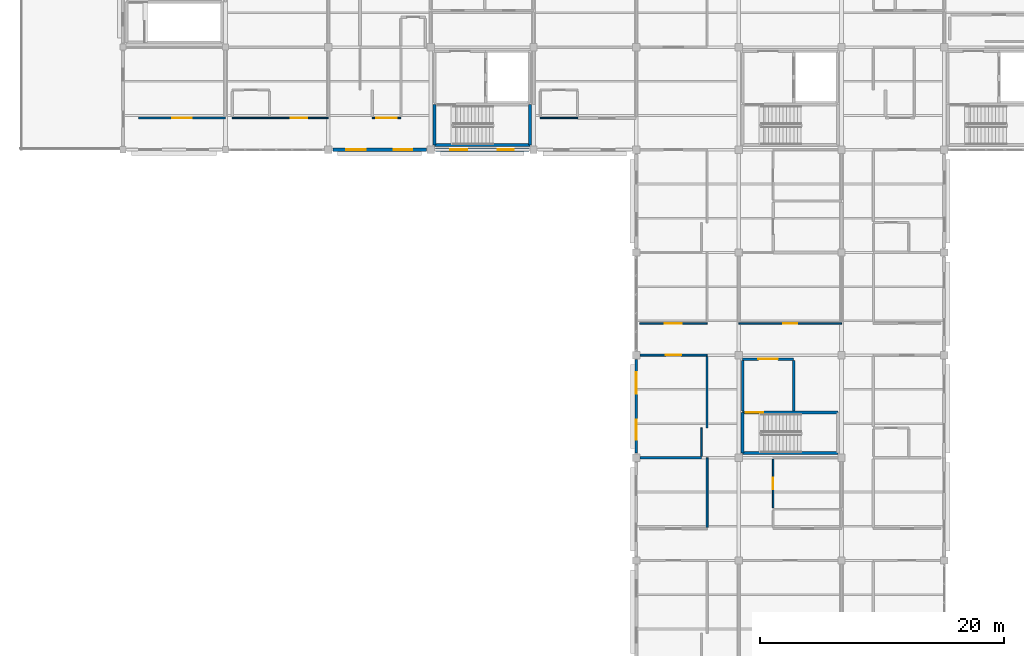
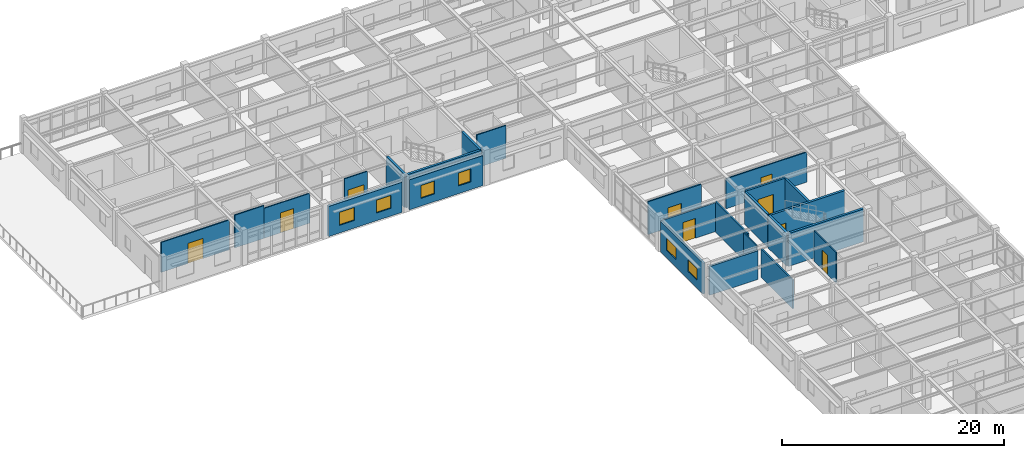
# One storey, part 50 of 70: 25 walls, 9 doors, 6 windows, 15 openings.
"""IFC4 building model written with IfcOpenShell, lengths in metres."""

from ifc_helpers import new_model, si_unit, direction, frame, frame_2d, origin, place, context, subcontext, project, spatial, rectangle, extrude, material, layer, layer_set, type_object, element, fill, save


model = new_model("IFC4")

# Units and contexts
model_context = context("Model", 3, precision=1e-05, world=origin(), true_north=direction((0.0, 1.0)))
body_context = subcontext(model_context, "Body", "Model", "MODEL_VIEW")
ifc_project = project(units=[si_unit("LENGTHUNIT", "METRE"), si_unit("AREAUNIT", "SQUARE_METRE"), si_unit("VOLUMEUNIT", "CUBIC_METRE"), si_unit("PLANEANGLEUNIT", "RADIAN"), si_unit("MASSUNIT", "GRAM", prefix="KILO")], contexts=[model_context])

# Site, building, storey
site_placement = place(None, origin())
site = spatial("IfcSite", under=ifc_project, at=site_placement, CompositionType="ELEMENT")
building_placement = place(site_placement, origin())
building = spatial("IfcBuilding", under=site, at=building_placement, Name="Bramfleet General Hospital", CompositionType="ELEMENT")
storey_placement = place(building_placement, frame((0.0, 0.0, 22.5)))
storey = spatial("IfcBuildingStorey", under=building, at=storey_placement, Name="L05", CompositionType="ELEMENT", Elevation=22.5)

# Wall, openings, windows
ifc_material_1 = material(Name="Precast concrete C40/50", Category="concrete")
ifc_layer_1 = layer(ifc_material_1, 0.294921875, Name="WT-EW-05")
ifc_layer_set_1 = layer_set([ifc_layer_1], Name="Precast concrete C40/50")
wall_type_1 = type_object("IfcWallType", Name="WT-EW-05", PredefinedType="SOLIDWALL", material=ifc_layer_set_1)
wall_1_placement = place(storey_placement, frame((83.625, 92.39990234375, 0.0), z_axis=(0.0, 0.0, 1.0), x_axis=(-1.0, 0.0, 0.0)))
wall_1 = element("IfcWall", 1, at=wall_1_placement, inside=storey, type_object=wall_type_1, Name="L05 Exterior Wall 339", PredefinedType="SOLIDWALL", context=body_context, shape_type="SweptSolid", body=[
    extrude(rectangle(XDim=7.64990234375, YDim=0.294921875, at=frame_2d((3.824951171875, 0.0))), origin(), (0.0, 0.0, 1.0), 3.31005859375),
])
opening_1_placement = place(wall_1_placement, frame((1.262451171875, 0.0, 0.85009765625)))
opening_1 = element("IfcOpeningElement", 2, at=opening_1_placement, cuts=wall_1, Name="Opening W-14", PredefinedType="OPENING", context=body_context, shape_type="SweptSolid", body=[
    extrude(rectangle(XDim=1.300048828125, YDim=1.419921875, at=frame_2d((0.64990234375, 0.7099609375))), frame((0.0, 0.157470703125, 0.0), z_axis=(0.0, -1.0, 0.0), x_axis=(1.0, 0.0, 0.0)), (0.0, 0.0, 1.0), 0.31494140625),
])
opening_2_placement = place(wall_1_placement, frame((5.03759765625, 0.0, 0.85009765625)))
opening_2 = element("IfcOpeningElement", 3, at=opening_2_placement, cuts=wall_1, Name="Opening W-15", PredefinedType="OPENING", context=body_context, shape_type="SweptSolid", body=[
    extrude(rectangle(XDim=1.39990234375, YDim=1.419921875, at=frame_2d((0.699951171875, 0.7099609375))), frame((0.0, 0.157470703125, 0.0), z_axis=(0.0, -1.0, 0.0), x_axis=(1.0, 0.0, 0.0)), (0.0, 0.0, 1.0), 0.31494140625),
])
ifc_material_2 = material(Name="Anodised aluminium and low-E triple glazing", Category="aluminium")
window_type_1 = type_object("IfcWindowType", Name="WIN-W-14", PartitioningType="SINGLE_PANEL", PredefinedType="WINDOW", material=ifc_material_2)
window_1_placement = place(opening_1_placement, origin())
window_1 = element("IfcWindow", 4, at=window_1_placement, inside=storey, type_object=window_type_1, Name="L05 Facade Window WIN-L05-339-1", OverallHeight=1.419921875, OverallWidth=1.300048828125, PartitioningType="SINGLE_PANEL", PredefinedType="WINDOW", context=body_context, shape_type="SweptSolid", body=[
    extrude(rectangle(XDim=1.300048828125, YDim=1.419921875, at=frame_2d((0.64990234375, 0.7099609375))), frame((0.0, 0.030029296875, 0.0), z_axis=(0.0, -1.0, 0.0), x_axis=(1.0, 0.0, 0.0)), (0.0, 0.0, 1.0), 0.06005859375),
])
fill(opening_1, window_1)
window_type_2 = type_object("IfcWindowType", Name="WIN-W-15", PartitioningType="SINGLE_PANEL", PredefinedType="WINDOW", material=ifc_material_2)
window_2_placement = place(opening_2_placement, origin())
window_2 = element("IfcWindow", 5, at=window_2_placement, inside=storey, type_object=window_type_2, Name="L05 Facade Window WIN-L05-339-2", OverallHeight=1.419921875, OverallWidth=1.39990234375, PartitioningType="SINGLE_PANEL", PredefinedType="WINDOW", context=body_context, shape_type="SweptSolid", body=[
    extrude(rectangle(XDim=1.39990234375, YDim=1.419921875, at=frame_2d((0.699951171875, 0.7099609375))), frame((0.0, 0.030029296875, 0.0), z_axis=(0.0, -1.0, 0.0), x_axis=(1.0, 0.0, 0.0)), (0.0, 0.0, 1.0), 0.06005859375),
])
fill(opening_2, window_2)

ifc_layer_2 = layer(ifc_material_1, 0.280029296875, Name="WT-EW-06")
ifc_layer_set_2 = layer_set([ifc_layer_2], Name="Precast concrete C40/50")
wall_type_2 = type_object("IfcWallType", Name="WT-EW-06", PredefinedType="SOLIDWALL", material=ifc_layer_set_2)
wall_2_placement = place(storey_placement, frame((75.22509765625, 92.39990234375, 0.0), z_axis=(0.0, 0.0, 1.0), x_axis=(-1.0, 0.0, 0.0)))
wall_2 = element("IfcWall", 6, at=wall_2_placement, inside=storey, type_object=wall_type_2, Name="L05 Exterior Wall 340", PredefinedType="SOLIDWALL", context=body_context, shape_type="SweptSolid", body=[
    extrude(rectangle(XDim=7.650146484375, YDim=0.280029296875, at=frame_2d((3.8251953125, 0.0))), origin(), (0.0, 0.0, 1.0), 3.31005859375),
])
opening_3_placement = place(wall_2_placement, frame((1.16259765625, 0.0, 0.85009765625)))
opening_3 = element("IfcOpeningElement", 7, at=opening_3_placement, cuts=wall_2, Name="Opening W-16", PredefinedType="OPENING", context=body_context, shape_type="SweptSolid", body=[
    extrude(rectangle(XDim=1.5, YDim=1.419921875, at=frame_2d((0.75, 0.7099609375))), frame((0.0, 0.14990234375, 0.0), z_axis=(0.0, -1.0, 0.0), x_axis=(1.0, 0.0, 0.0)), (0.0, 0.0, 1.0), 0.300048828125),
])
opening_4_placement = place(wall_2_placement, frame((4.9375, 0.0, 0.85009765625)))
opening_4 = element("IfcOpeningElement", 8, at=opening_4_placement, cuts=wall_2, Name="Opening W-17", PredefinedType="OPENING", context=body_context, shape_type="SweptSolid", body=[
    extrude(rectangle(XDim=1.60009765625, YDim=1.419921875, at=frame_2d((0.800048828125, 0.7099609375))), frame((0.0, 0.14990234375, 0.0), z_axis=(0.0, -1.0, 0.0), x_axis=(1.0, 0.0, 0.0)), (0.0, 0.0, 1.0), 0.300048828125),
])
window_type_3 = type_object("IfcWindowType", Name="WIN-W-16", PartitioningType="SINGLE_PANEL", PredefinedType="WINDOW", material=ifc_material_2)
window_3_placement = place(opening_3_placement, origin())
window_3 = element("IfcWindow", 9, at=window_3_placement, inside=storey, type_object=window_type_3, Name="L05 Facade Window WIN-L05-340-1", OverallHeight=1.419921875, OverallWidth=1.5, PartitioningType="SINGLE_PANEL", PredefinedType="WINDOW", context=body_context, shape_type="SweptSolid", body=[
    extrude(rectangle(XDim=1.5, YDim=1.419921875, at=frame_2d((0.75, 0.7099609375))), frame((0.0, 0.030029296875, 0.0), z_axis=(0.0, -1.0, 0.0), x_axis=(1.0, 0.0, 0.0)), (0.0, 0.0, 1.0), 0.06005859375),
])
fill(opening_3, window_3)
window_type_4 = type_object("IfcWindowType", Name="WIN-W-17", PartitioningType="SINGLE_PANEL", PredefinedType="WINDOW", material=ifc_material_2)
window_4_placement = place(opening_4_placement, origin())
window_4 = element("IfcWindow", 10, at=window_4_placement, inside=storey, type_object=window_type_4, Name="L05 Facade Window WIN-L05-340-2", OverallHeight=1.419921875, OverallWidth=1.60009765625, PartitioningType="SINGLE_PANEL", PredefinedType="WINDOW", context=body_context, shape_type="SweptSolid", body=[
    extrude(rectangle(XDim=1.60009765625, YDim=1.419921875, at=frame_2d((0.800048828125, 0.7099609375))), frame((0.0, 0.030029296875, 0.0), z_axis=(0.0, -1.0, 0.0), x_axis=(1.0, 0.0, 0.0)), (0.0, 0.0, 1.0), 0.06005859375),
])
fill(opening_4, window_4)

ifc_layer_3 = layer(ifc_material_1, 0.235107421875, Name="WT-EW-09")
ifc_layer_set_3 = layer_set([ifc_layer_3], Name="Precast concrete C40/50")
wall_type_3 = type_object("IfcWallType", Name="WT-EW-09", PredefinedType="SOLIDWALL", material=ifc_layer_set_3)
wall_3_placement = place(storey_placement, frame((92.39990234375, 67.574951171875, 0.0), z_axis=(0.0, 0.0, 1.0), x_axis=(0.0, 1.0, 0.0)))
wall_3 = element("IfcWall", 11, at=wall_3_placement, inside=storey, type_object=wall_type_3, Name="L05 Exterior Wall 336", PredefinedType="SOLIDWALL", context=body_context, shape_type="SweptSolid", body=[
    extrude(rectangle(XDim=7.650146484375, YDim=0.235107421875, at=frame_2d((3.8251953125, 0.0))), origin(), (0.0, 0.0, 1.0), 3.3798828125),
])
opening_5_placement = place(wall_3_placement, frame((1.08740234375, 0.0, 0.85009765625)))
opening_5 = element("IfcOpeningElement", 12, at=opening_5_placement, cuts=wall_3, Name="Opening W-08", PredefinedType="OPENING", context=body_context, shape_type="SweptSolid", body=[
    extrude(rectangle(XDim=1.64990234375, YDim=1.300048828125, at=frame_2d((0.824951171875, 0.64990234375))), frame((0.0, 0.12744140625, 0.0), z_axis=(0.0, -1.0, 0.0), x_axis=(1.0, 0.0, 0.0)), (0.0, 0.0, 1.0), 0.255126953125),
])
opening_6_placement = place(wall_3_placement, frame((4.862548828125, 0.0, 0.85009765625)))
opening_6 = element("IfcOpeningElement", 13, at=opening_6_placement, cuts=wall_3, Name="Opening W-09", PredefinedType="OPENING", context=body_context, shape_type="SweptSolid", body=[
    extrude(rectangle(XDim=1.75, YDim=1.300048828125, at=frame_2d((0.875, 0.64990234375))), frame((0.0, 0.12744140625, 0.0), z_axis=(0.0, -1.0, 0.0), x_axis=(1.0, 0.0, 0.0)), (0.0, 0.0, 1.0), 0.255126953125),
])
window_type_5 = type_object("IfcWindowType", Name="WIN-W-08", PartitioningType="SINGLE_PANEL", PredefinedType="WINDOW", material=ifc_material_2)
window_5_placement = place(opening_5_placement, origin())
window_5 = element("IfcWindow", 14, at=window_5_placement, inside=storey, type_object=window_type_5, Name="L05 Facade Window WIN-L05-336-1", OverallHeight=1.300048828125, OverallWidth=1.64990234375, PartitioningType="SINGLE_PANEL", PredefinedType="WINDOW", context=body_context, shape_type="SweptSolid", body=[
    extrude(rectangle(XDim=1.64990234375, YDim=1.300048828125, at=frame_2d((0.824951171875, 0.64990234375))), frame((0.0, 0.030029296875, 0.0), z_axis=(0.0, -1.0, 0.0), x_axis=(1.0, 0.0, 0.0)), (0.0, 0.0, 1.0), 0.06005859375),
])
fill(opening_5, window_5)
window_type_6 = type_object("IfcWindowType", Name="WIN-W-09", PartitioningType="SINGLE_PANEL", PredefinedType="WINDOW", material=ifc_material_2)
window_6_placement = place(opening_6_placement, origin())
window_6 = element("IfcWindow", 15, at=window_6_placement, inside=storey, type_object=window_type_6, Name="L05 Facade Window WIN-L05-336-2", OverallHeight=1.300048828125, OverallWidth=1.75, PartitioningType="SINGLE_PANEL", PredefinedType="WINDOW", context=body_context, shape_type="SweptSolid", body=[
    extrude(rectangle(XDim=1.75, YDim=1.300048828125, at=frame_2d((0.875, 0.64990234375))), frame((0.0, 0.030029296875, 0.0), z_axis=(0.0, -1.0, 0.0), x_axis=(1.0, 0.0, 0.0)), (0.0, 0.0, 1.0), 0.06005859375),
])
fill(opening_6, window_6)

# Walls
ifc_material_3 = material(Name="Concrete C35/45", Category="concrete")
ifc_layer_4 = layer(ifc_material_3, 0.219970703125, Name="WT-IW-01")
ifc_layer_set_4 = layer_set([ifc_layer_4], Name="Concrete C35/45")
wall_type_4 = type_object("IfcWallType", Name="WT-IW-01", PredefinedType="PARTITIONING", material=ifc_layer_set_4)
wall_4_placement = place(storey_placement, frame((92.695068359375, 67.199951171875, 0.0), z_axis=(0.0, 0.0, 1.0), x_axis=(1.0, 0.0, 0.0)))
element("IfcWall", 16, at=wall_4_placement, inside=storey, type_object=wall_type_4, Name="L05 Interior Partition IW-L05-3565", PredefinedType="PARTITIONING", context=body_context, shape_type="SweptSolid", body=[
    extrude(rectangle(XDim=5.054931640625, YDim=0.219970703125, at=frame_2d((2.52734375, 0.0))), origin(), (0.0, 0.0, 1.0), 3.159912109375),
])
ifc_layer_5 = layer(ifc_material_3, 0.205078125, Name="WT-IW-02")
ifc_layer_set_5 = layer_set([ifc_layer_5], Name="Concrete C35/45")
wall_type_5 = type_object("IfcWallType", Name="WT-IW-02", PredefinedType="PARTITIONING", material=ifc_layer_set_5)
for number, where, z_axis, x_axis, name in (
    (17, (105.280029296875, 71.0400390625, 0.0), (0.0, 0.0, 1.0), (0.0, 1.0, 0.0), "L05 C11 Lobby East Shaft Wall"),
    (18, (101.10009765625, 71.0400390625, 0.0), (0.0, 0.0, 1.0), (0.0, 1.0, 0.0), "L05 C11 Lobby West Compartment Wall"),
):
    element("IfcWall", number, at=place(storey_placement, frame(where, z_axis=z_axis, x_axis=x_axis)), inside=storey, type_object=wall_type_5, Name=name, PredefinedType="PARTITIONING", context=body_context, shape_type="SweptSolid", body=[
        extrude(rectangle(XDim=4.119873046875, YDim=0.205078125, at=frame_2d((2.06005859375, 0.0))), origin(), (0.0, 0.0, 1.0), 3.610107421875),
    ])

# Wall, opening, door
wall_5_placement = place(storey_placement, frame((101.10009765625, 75.280029296875, 0.0), z_axis=(0.0, 0.0, 1.0), x_axis=(1.0, 0.0, 0.0)))
wall_5 = element("IfcWall", 19, at=wall_5_placement, inside=storey, type_object=wall_type_5, Name="L05 C11 Lobby North Compartment Wall", PredefinedType="PARTITIONING", context=body_context, shape_type="SweptSolid", body=[
    extrude(rectangle(XDim=4.179931640625, YDim=0.205078125, at=frame_2d((2.08984375, 0.0))), origin(), (0.0, 0.0, 1.0), 3.610107421875),
])
opening_7_placement = place(wall_5_placement, frame((1.2900390625, 0.0, 0.0)))
opening_7 = element("IfcOpeningElement", 20, at=opening_7_placement, cuts=wall_5, Name="Opening D0150", PredefinedType="OPENING", context=body_context, shape_type="SweptSolid", body=[
    extrude(rectangle(XDim=1.60009765625, YDim=2.25, at=frame_2d((0.800048828125, 1.125))), frame((0.0, 0.112548828125, 0.0), z_axis=(0.0, -1.0, 0.0), x_axis=(1.0, 0.0, 0.0)), (0.0, 0.0, 1.0), 0.22509765625),
])
ifc_material_4 = material(Name="Stainless steel and acoustic timber leaf", Category="steel")
door_type_1 = type_object("IfcDoorType", Name="DR-D-04", OperationType="NOTDEFINED", PredefinedType="DOOR", material=ifc_material_4)
door_1_placement = place(opening_7_placement, origin())
door_1 = element("IfcDoor", 21, at=door_1_placement, inside=storey, type_object=door_type_1, Name="L05 C11 Lobby Fire Door D0150", OperationType="DOUBLE_SWING_LEFT", OverallHeight=2.25, OverallWidth=1.60009765625, PredefinedType="DOOR", context=body_context, shape_type="SweptSolid", body=[
    extrude(rectangle(XDim=1.60009765625, YDim=2.25, at=frame_2d((0.800048828125, 1.125))), frame((0.0, 0.02490234375, 0.0), z_axis=(0.0, -1.0, 0.0), x_axis=(1.0, 0.0, 0.0)), (0.0, 0.0, 1.0), 0.050048828125),
])
fill(opening_7, door_1)

ifc_material_5 = material(Name="Gypsum plasterboard on acoustic steel studs", Category="steel")
ifc_layer_6 = layer(ifc_material_5, 0.159912109375, Name="WT-IW-06")
ifc_layer_set_6 = layer_set([ifc_layer_6], Name="Gypsum plasterboard on acoustic steel studs")
wall_type_6 = type_object("IfcWallType", Name="WT-IW-06", PredefinedType="PARTITIONING", material=ifc_layer_set_6)
wall_6_placement = place(storey_placement, frame((92.695068359375, 75.60009765625, 0.0), z_axis=(0.0, 0.0, 1.0), x_axis=(1.0, 0.0, 0.0)))
wall_6 = element("IfcWall", 22, at=wall_6_placement, inside=storey, type_object=wall_type_6, Name="L05 Interior Partition IW-L05-3570", PredefinedType="PARTITIONING", context=body_context, shape_type="SweptSolid", body=[
    extrude(rectangle(XDim=5.5048828125, YDim=0.159912109375, at=frame_2d((2.75244140625, 0.0))), origin(), (0.0, 0.0, 1.0), 3.159912109375),
])
opening_8_placement = place(wall_6_placement, frame((2.112548828125, 0.0, 0.0)))
opening_8 = element("IfcOpeningElement", 23, at=opening_8_placement, cuts=wall_6, Name="Opening D1373", PredefinedType="OPENING", context=body_context, shape_type="SweptSolid", body=[
    extrude(rectangle(XDim=1.280029296875, YDim=2.179931640625, at=frame_2d((0.64013671875, 1.08984375))), frame((0.0, 0.08984375, 0.0), z_axis=(0.0, -1.0, 0.0), x_axis=(1.0, 0.0, 0.0)), (0.0, 0.0, 1.0), 0.179931640625),
])
door_type_2 = type_object("IfcDoorType", Name="DR-D-29", OperationType="NOTDEFINED", PredefinedType="DOOR", material=ifc_material_4)
door_2_placement = place(opening_8_placement, origin())
door_2 = element("IfcDoor", 24, at=door_2_placement, inside=storey, type_object=door_type_2, Name="Medical and Cardiology Ward Bedroom L05-1108 Door D1373", OperationType="SINGLE_SWING_RIGHT", OverallHeight=2.179931640625, OverallWidth=1.280029296875, PredefinedType="DOOR", context=body_context, shape_type="SweptSolid", body=[
    extrude(rectangle(XDim=1.280029296875, YDim=2.179931640625, at=frame_2d((0.64013671875, 1.08984375))), frame((0.0, 0.02490234375, 0.0), z_axis=(0.0, -1.0, 0.0), x_axis=(1.0, 0.0, 0.0)), (0.0, 0.0, 1.0), 0.050048828125),
])
fill(opening_8, door_2)

# Wall
ifc_layer_7 = layer(ifc_material_5, 0.14990234375, Name="WT-IW-07")
ifc_layer_set_7 = layer_set([ifc_layer_7], Name="Gypsum plasterboard on acoustic steel studs")
wall_type_7 = type_object("IfcWallType", Name="WT-IW-07", PredefinedType="PARTITIONING", material=ifc_layer_set_7)
wall_7_placement = place(storey_placement, frame((98.199951171875, 61.514892578125, 0.0), z_axis=(0.0, 0.0, 1.0), x_axis=(0.0, 1.0, 0.0)))
element("IfcWall", 25, at=wall_7_placement, inside=storey, type_object=wall_type_7, Name="L05 Interior Partition IW-L05-3715", PredefinedType="PARTITIONING", context=body_context, shape_type="SweptSolid", body=[
    extrude(rectangle(XDim=5.68505859375, YDim=0.14990234375, at=frame_2d((2.842529296875, 0.0))), origin(), (0.0, 0.0, 1.0), 3.159912109375),
])

# Wall, opening, door
ifc_layer_8 = layer(ifc_material_5, 0.139892578125, Name="WT-IW-08")
ifc_layer_set_8 = layer_set([ifc_layer_8], Name="Gypsum plasterboard on acoustic steel studs")
wall_type_8 = type_object("IfcWallType", Name="WT-IW-08", PredefinedType="PARTITIONING", material=ifc_layer_set_8)
wall_8_placement = place(storey_placement, frame((92.679931640625, 78.199951171875, 0.0), z_axis=(0.0, 0.0, 1.0), x_axis=(1.0, 0.0, 0.0)))
wall_8 = element("IfcWall", 26, at=wall_8_placement, inside=storey, type_object=wall_type_8, Name="L05 Interior Partition IW-L05-3572", PredefinedType="PARTITIONING", context=body_context, shape_type="SweptSolid", body=[
    extrude(rectangle(XDim=5.52001953125, YDim=0.139892578125, at=frame_2d((2.760009765625, 0.0))), origin(), (0.0, 0.0, 1.0), 3.610107421875),
])
opening_9_placement = place(wall_8_placement, frame((2.070068359375, 0.0, 0.0)))
opening_9 = element("IfcOpeningElement", 27, at=opening_9_placement, cuts=wall_8, Name="Opening D1374", PredefinedType="OPENING", context=body_context, shape_type="SweptSolid", body=[
    extrude(rectangle(XDim=1.3798828125, YDim=2.219970703125, at=frame_2d((0.68994140625, 1.10986328125))), frame((0.0, 0.079833984375, 0.0), z_axis=(0.0, -1.0, 0.0), x_axis=(1.0, 0.0, 0.0)), (0.0, 0.0, 1.0), 0.159912109375),
])
door_type_3 = type_object("IfcDoorType", Name="DR-D-30", OperationType="NOTDEFINED", PredefinedType="DOOR", material=ifc_material_4)
door_3_placement = place(opening_9_placement, origin())
door_3 = element("IfcDoor", 28, at=door_3_placement, inside=storey, type_object=door_type_3, Name="Medical and Cardiology Ward Bedroom L05-1109 Door D1374", OperationType="SINGLE_SWING_LEFT", OverallHeight=2.219970703125, OverallWidth=1.3798828125, PredefinedType="DOOR", context=body_context, shape_type="SweptSolid", body=[
    extrude(rectangle(XDim=1.3798828125, YDim=2.219970703125, at=frame_2d((0.68994140625, 1.10986328125))), frame((0.0, 0.02490234375, 0.0), z_axis=(0.0, -1.0, 0.0), x_axis=(1.0, 0.0, 0.0)), (0.0, 0.0, 1.0), 0.050048828125),
])
fill(opening_9, door_3)

# Wall
wall_9_placement = place(storey_placement, frame((98.199951171875, 69.64990234375, 0.0), z_axis=(0.0, 0.0, 1.0), x_axis=(0.0, 1.0, 0.0)))
element("IfcWall", 29, at=wall_9_placement, inside=storey, type_object=wall_type_8, Name="L05 Interior Partition IW-L05-3716", PredefinedType="PARTITIONING", context=body_context, shape_type="SweptSolid", body=[
    extrude(rectangle(XDim=5.835205078125, YDim=0.139892578125, at=frame_2d((2.91748046875, 0.0))), origin(), (0.0, 0.0, 1.0), 3.340087890625),
])

# Wall, opening, door
ifc_layer_9 = layer(ifc_material_5, 0.1298828125, Name="WT-IW-09")
ifc_layer_set_9 = layer_set([ifc_layer_9], Name="Gypsum plasterboard on acoustic steel studs")
wall_type_9 = type_object("IfcWallType", Name="WT-IW-09", PredefinedType="PARTITIONING", material=ifc_layer_set_9)
wall_10_placement = place(storey_placement, frame((100.800048828125, 78.199951171875, 0.0), z_axis=(0.0, 0.0, 1.0), x_axis=(1.0, 0.0, 0.0)))
wall_10 = element("IfcWall", 30, at=wall_10_placement, inside=storey, type_object=wall_type_9, Name="L05 Interior Partition IW-L05-3573", PredefinedType="PARTITIONING", context=body_context, shape_type="SweptSolid", body=[
    extrude(rectangle(XDim=8.39990234375, YDim=0.1298828125, at=frame_2d((4.199951171875, 0.0))), origin(), (0.0, 0.0, 1.0), 3.300048828125),
])
opening_10_placement = place(wall_10_placement, frame((3.625, 0.0, 0.0)))
opening_10 = element("IfcOpeningElement", 31, at=opening_10_placement, cuts=wall_10, Name="Opening D1388", PredefinedType="OPENING", context=body_context, shape_type="SweptSolid", body=[
    extrude(rectangle(XDim=1.14990234375, YDim=2.14990234375, at=frame_2d((0.574951171875, 1.074951171875))), frame((0.0, 0.074951171875, 0.0), z_axis=(0.0, -1.0, 0.0), x_axis=(1.0, 0.0, 0.0)), (0.0, 0.0, 1.0), 0.14990234375),
])
door_type_4 = type_object("IfcDoorType", Name="DR-D-12", OperationType="NOTDEFINED", PredefinedType="DOOR", material=ifc_material_4)
door_4_placement = place(opening_10_placement, origin())
door_4 = element("IfcDoor", 32, at=door_4_placement, inside=storey, type_object=door_type_4, Name="Medical and Cardiology Ward Nurse Station L05-1209 Door D1388", OperationType="SINGLE_SWING_LEFT", OverallHeight=2.14990234375, OverallWidth=1.14990234375, PredefinedType="DOOR", context=body_context, shape_type="SweptSolid", body=[
    extrude(rectangle(XDim=1.14990234375, YDim=2.14990234375, at=frame_2d((0.574951171875, 1.074951171875))), frame((0.0, 0.02490234375, 0.0), z_axis=(0.0, -1.0, 0.0), x_axis=(1.0, 0.0, 0.0)), (0.0, 0.0, 1.0), 0.050048828125),
])
fill(opening_10, door_4)

wall_11_placement = place(storey_placement, frame((51.699951171875, 95.0, 0.0), z_axis=(0.0, 0.0, 1.0), x_axis=(1.0, 0.0, 0.0)))
wall_11 = element("IfcWall", 33, at=wall_11_placement, inside=storey, type_object=wall_type_9, Name="L05 Interior Partition IW-L05-3585", PredefinedType="PARTITIONING", context=body_context, shape_type="SweptSolid", body=[
    extrude(rectangle(XDim=7.10009765625, YDim=0.1298828125, at=frame_2d((3.550048828125, 0.0))), origin(), (0.0, 0.0, 1.0), 3.2900390625),
])
opening_11_placement = place(wall_11_placement, frame((2.760009765625, 0.0, 0.0)))
opening_11 = element("IfcOpeningElement", 34, at=opening_11_placement, cuts=wall_11, Name="Opening D1344", PredefinedType="OPENING", context=body_context, shape_type="SweptSolid", body=[
    extrude(rectangle(XDim=1.580078125, YDim=2.219970703125, at=frame_2d((0.7900390625, 1.10986328125))), frame((0.0, 0.074951171875, 0.0), z_axis=(0.0, -1.0, 0.0), x_axis=(1.0, 0.0, 0.0)), (0.0, 0.0, 1.0), 0.14990234375),
])
door_type_5 = type_object("IfcDoorType", Name="DR-D-32", OperationType="NOTDEFINED", PredefinedType="DOOR", material=ifc_material_4)
door_5_placement = place(opening_11_placement, origin())
door_5 = element("IfcDoor", 35, at=door_5_placement, inside=storey, type_object=door_type_5, Name="Patient Dayroom and Garden Lounge L05-0611 Door D1344", OperationType="DOUBLE_SWING_LEFT", OverallHeight=2.219970703125, OverallWidth=1.580078125, PredefinedType="DOOR", context=body_context, shape_type="SweptSolid", body=[
    extrude(rectangle(XDim=1.580078125, YDim=2.219970703125, at=frame_2d((0.7900390625, 1.10986328125))), frame((0.0, 0.02490234375, 0.0), z_axis=(0.0, -1.0, 0.0), x_axis=(1.0, 0.0, 0.0)), (0.0, 0.0, 1.0), 0.050048828125),
])
fill(opening_11, door_5)

# Walls
ifc_layer_10 = layer(ifc_material_5, 0.1201171875, Name="WT-IW-10")
ifc_layer_set_10 = layer_set([ifc_layer_10], Name="Gypsum plasterboard on acoustic steel studs")
wall_type_10 = type_object("IfcWallType", Name="WT-IW-10", PredefinedType="PARTITIONING", material=ifc_layer_set_10)
wall_12_placement = place(storey_placement, frame((59.35009765625, 95.0, 0.0), z_axis=(0.0, 0.0, 1.0), x_axis=(1.0, 0.0, 0.0)))
element("IfcWall", 36, at=wall_12_placement, inside=storey, type_object=wall_type_10, Name="L05 Interior Partition IW-L05-3586", PredefinedType="PARTITIONING", context=body_context, shape_type="SweptSolid", body=[
    extrude(rectangle(XDim=3.0498046875, YDim=0.1201171875, at=frame_2d((1.52490234375, 0.0))), origin(), (0.0, 0.0, 1.0), 3.610107421875),
])
wall_13_placement = place(storey_placement, frame((84.550048828125, 95.0, 0.0), z_axis=(0.0, 0.0, 1.0), x_axis=(1.0, 0.0, 0.0)))
element("IfcWall", 37, at=wall_13_placement, inside=storey, type_object=wall_type_10, Name="L05 Interior Partition IW-L05-3589", PredefinedType="PARTITIONING", context=body_context, shape_type="SweptSolid", body=[
    extrude(rectangle(XDim=3.050048828125, YDim=0.1201171875, at=frame_2d((1.52490234375, 0.0))), origin(), (0.0, 0.0, 1.0), 3.610107421875),
])
wall_14_placement = place(storey_placement, frame((97.75, 67.31494140625, 0.0), z_axis=(0.0, 0.0, 1.0), x_axis=(0.0, 1.0, 0.0)))
element("IfcWall", 38, at=wall_14_placement, inside=storey, type_object=wall_type_10, Name="L05 Interior Partition IW-L05-3706", PredefinedType="PARTITIONING", context=body_context, shape_type="SweptSolid", body=[
    extrude(rectangle(XDim=2.3349609375, YDim=0.1201171875, at=frame_2d((1.16748046875, 0.0))), origin(), (0.0, 0.0, 1.0), 3.610107421875),
])

# Wall, opening, door
wall_15_placement = place(storey_placement, frame((103.60009765625, 63.114990234375, 0.0), z_axis=(0.0, 0.0, 1.0), x_axis=(0.0, 1.0, 0.0)))
wall_15 = element("IfcWall", 39, at=wall_15_placement, inside=storey, type_object=wall_type_10, Name="L05 Interior Partition IW-L05-3732", PredefinedType="PARTITIONING", context=body_context, shape_type="SweptSolid", body=[
    extrude(rectangle(XDim=3.969970703125, YDim=0.1201171875, at=frame_2d((1.98486328125, 0.0))), origin(), (0.0, 0.0, 1.0), 3.340087890625),
])
opening_12_placement = place(wall_15_placement, frame((1.510009765625, 0.0, 0.0)))
opening_12 = element("IfcOpeningElement", 40, at=opening_12_placement, cuts=wall_15, Name="Opening D1387", PredefinedType="OPENING", context=body_context, shape_type="SweptSolid", body=[
    extrude(rectangle(XDim=0.949951171875, YDim=2.10009765625, at=frame_2d((0.47509765625, 1.050048828125))), frame((0.0, 0.070068359375, 0.0), z_axis=(0.0, -1.0, 0.0), x_axis=(1.0, 0.0, 0.0)), (0.0, 0.0, 1.0), 0.14013671875),
])
door_type_6 = type_object("IfcDoorType", Name="DR-D-10", OperationType="NOTDEFINED", PredefinedType="DOOR", material=ifc_material_4)
door_6_placement = place(opening_12_placement, origin())
door_6 = element("IfcDoor", 41, at=door_6_placement, inside=storey, type_object=door_type_6, Name="L05 Accessible and Staff WC 1207 Door D1387", OperationType="SINGLE_SWING_LEFT", OverallHeight=2.10009765625, OverallWidth=0.949951171875, PredefinedType="DOOR", context=body_context, shape_type="SweptSolid", body=[
    extrude(rectangle(XDim=0.949951171875, YDim=2.10009765625, at=frame_2d((0.47509765625, 1.050048828125))), frame((0.0, 0.02490234375, 0.0), z_axis=(0.0, -1.0, 0.0), x_axis=(1.0, 0.0, 0.0)), (0.0, 0.0, 1.0), 0.050048828125),
])
fill(opening_12, door_6)

ifc_layer_11 = layer(ifc_material_5, 0.112060546875, Name="WT-IW-11")
ifc_layer_set_11 = layer_set([ifc_layer_11], Name="Gypsum plasterboard on acoustic steel studs")
wall_type_11 = type_object("IfcWallType", Name="WT-IW-11", PredefinedType="PARTITIONING", material=ifc_layer_set_11)
wall_16_placement = place(storey_placement, frame((62.39990234375, 95.0, 0.0), z_axis=(0.0, 0.0, 1.0), x_axis=(1.0, 0.0, 0.0)))
wall_16 = element("IfcWall", 42, at=wall_16_placement, inside=storey, type_object=wall_type_11, Name="L05 Interior Partition IW-L05-3587", PredefinedType="PARTITIONING", context=body_context, shape_type="SweptSolid", body=[
    extrude(rectangle(XDim=4.800048828125, YDim=0.112060546875, at=frame_2d((2.39990234375, 0.0))), origin(), (0.0, 0.0, 1.0), 3.2900390625),
])
opening_13_placement = place(wall_16_placement, frame((1.72509765625, 0.0, 0.0)))
opening_13 = element("IfcOpeningElement", 43, at=opening_13_placement, cuts=wall_16, Name="Opening D1346", PredefinedType="OPENING", context=body_context, shape_type="SweptSolid", body=[
    extrude(rectangle(XDim=1.35009765625, YDim=2.199951171875, at=frame_2d((0.675048828125, 1.10009765625))), frame((0.0, 0.06591796875, 0.0), z_axis=(0.0, -1.0, 0.0), x_axis=(1.0, 0.0, 0.0)), (0.0, 0.0, 1.0), 0.132080078125),
])
door_type_7 = type_object("IfcDoorType", Name="DR-D-02", OperationType="NOTDEFINED", PredefinedType="DOOR", material=ifc_material_4)
door_7_placement = place(opening_13_placement, origin())
door_7 = element("IfcDoor", 44, at=door_7_placement, inside=storey, type_object=door_type_7, Name="Medical and Cardiology Ward Bedroom L05-0711 Door D1346", OperationType="SINGLE_SWING_LEFT", OverallHeight=2.199951171875, OverallWidth=1.35009765625, PredefinedType="DOOR", context=body_context, shape_type="SweptSolid", body=[
    extrude(rectangle(XDim=1.35009765625, YDim=2.199951171875, at=frame_2d((0.675048828125, 1.10009765625))), frame((0.0, 0.02490234375, 0.0), z_axis=(0.0, -1.0, 0.0), x_axis=(1.0, 0.0, 0.0)), (0.0, 0.0, 1.0), 0.050048828125),
])
fill(opening_13, door_7)

ifc_layer_12 = layer(ifc_material_5, 0.10009765625, Name="WT-IW-12")
ifc_layer_set_12 = layer_set([ifc_layer_12], Name="Gypsum plasterboard on acoustic steel studs")
wall_type_12 = type_object("IfcWallType", Name="WT-IW-12", PredefinedType="PARTITIONING", material=ifc_layer_set_12)
wall_17_placement = place(storey_placement, frame((70.800048828125, 95.0, 0.0), z_axis=(0.0, 0.0, 1.0), x_axis=(1.0, 0.0, 0.0)))
wall_17 = element("IfcWall", 45, at=wall_17_placement, inside=storey, type_object=wall_type_12, Name="L05 Interior Partition IW-L05-3588", PredefinedType="PARTITIONING", context=body_context, shape_type="SweptSolid", body=[
    extrude(rectangle(XDim=2.349853515625, YDim=0.10009765625, at=frame_2d((1.1748046875, 0.0))), origin(), (0.0, 0.0, 1.0), 3.610107421875),
])
opening_14_placement = place(wall_17_placement, frame((0.324951171875, 0.0, 0.0)))
opening_14 = element("IfcOpeningElement", 46, at=opening_14_placement, cuts=wall_17, Name="Opening D1351", PredefinedType="OPENING", context=body_context, shape_type="SweptSolid", body=[
    extrude(rectangle(XDim=1.699951171875, YDim=2.25, at=frame_2d((0.85009765625, 1.125))), frame((0.0, 0.06005859375, 0.0), z_axis=(0.0, -1.0, 0.0), x_axis=(1.0, 0.0, 0.0)), (0.0, 0.0, 1.0), 0.1201171875),
])
door_type_8 = type_object("IfcDoorType", Name="DR-D-07", OperationType="NOTDEFINED", PredefinedType="DOOR", material=ifc_material_4)
door_8_placement = place(opening_14_placement, origin())
door_8 = element("IfcDoor", 47, at=door_8_placement, inside=storey, type_object=door_type_8, Name="Medical and Cardiology Ward Bedroom L05-0811 Door D1351", OperationType="DOUBLE_SWING_RIGHT", OverallHeight=2.25, OverallWidth=1.699951171875, PredefinedType="DOOR", context=body_context, shape_type="SweptSolid", body=[
    extrude(rectangle(XDim=1.699951171875, YDim=2.25, at=frame_2d((0.85009765625, 1.125))), frame((0.0, 0.02490234375, 0.0), z_axis=(0.0, -1.0, 0.0), x_axis=(1.0, 0.0, 0.0)), (0.0, 0.0, 1.0), 0.050048828125),
])
fill(opening_14, door_8)

# Walls
ifc_material_6 = material(Name="Concrete C40/50", Category="concrete")
ifc_layer_13 = layer(ifc_material_6, 0.239990234375, Name="WT-SW-240")
ifc_layer_set_13 = layer_set([ifc_layer_13], Name="Concrete C40/50")
wall_type_13 = type_object("IfcWallType", Name="WT-SW-240", PredefinedType="SHEAR", material=ifc_layer_set_13)
wall_18_placement = place(storey_placement, frame((75.89990234375, 92.780029296875, 0.0), z_axis=(0.0, 0.0, 1.0), x_axis=(1.0, 0.0, 0.0)))
element("IfcWall", 48, at=wall_18_placement, inside=storey, type_object=wall_type_13, Name="L05 C5 South Stair Shear Wall", PredefinedType="SHEAR", context=body_context, shape_type="SweptSolid", body=[
    extrude(rectangle(XDim=7.820068359375, YDim=0.239990234375, at=frame_2d((3.91015625, 0.0))), origin(), (0.0, 0.0, 1.0), 3.6201171875),
])
for number, where, z_axis, x_axis, name in (
    (49, (75.89990234375, 92.780029296875, 0.0), (0.0, 0.0, 1.0), (0.0, 1.0, 0.0), "L05 C5 West Stair Shear Wall"),
    (50, (83.719970703125, 92.780029296875, 0.0), (0.0, 0.0, 1.0), (0.0, 1.0, 0.0), "L05 C5 East Stair Shear Wall"),
):
    element("IfcWall", number, at=place(storey_placement, frame(where, z_axis=z_axis, x_axis=x_axis)), inside=storey, type_object=wall_type_13, Name=name, PredefinedType="SHEAR", context=body_context, shape_type="SweptSolid", body=[
        extrude(rectangle(XDim=3.320068359375, YDim=0.239990234375, at=frame_2d((1.66015625, 0.0))), origin(), (0.0, 0.0, 1.0), 3.6201171875),
    ])
wall_19_placement = place(storey_placement, frame((101.10009765625, 67.580078125, 0.0), z_axis=(0.0, 0.0, 1.0), x_axis=(1.0, 0.0, 0.0)))
element("IfcWall", 51, at=wall_19_placement, inside=storey, type_object=wall_type_13, Name="L05 C11 South Stair Shear Wall", PredefinedType="SHEAR", context=body_context, shape_type="SweptSolid", body=[
    extrude(rectangle(XDim=7.81982421875, YDim=0.239990234375, at=frame_2d((3.909912109375, 0.0))), origin(), (0.0, 0.0, 1.0), 3.6201171875),
])
wall_20_placement = place(storey_placement, frame((101.10009765625, 67.580078125, 0.0), z_axis=(0.0, 0.0, 1.0), x_axis=(0.0, 1.0, 0.0)))
element("IfcWall", 52, at=wall_20_placement, inside=storey, type_object=wall_type_13, Name="L05 C11 West Stair Shear Wall", PredefinedType="SHEAR", context=body_context, shape_type="SweptSolid", body=[
    extrude(rectangle(XDim=3.31982421875, YDim=0.239990234375, at=frame_2d((1.659912109375, 0.0))), origin(), (0.0, 0.0, 1.0), 3.6201171875),
])

# Wall, opening, door
wall_21_placement = place(storey_placement, frame((101.10009765625, 70.89990234375, 0.0), z_axis=(0.0, 0.0, 1.0), x_axis=(1.0, 0.0, 0.0)))
wall_21 = element("IfcWall", 53, at=wall_21_placement, inside=storey, type_object=wall_type_13, Name="L05 C11 Stair-Lobby Shear Wall", PredefinedType="SHEAR", context=body_context, shape_type="SweptSolid", body=[
    extrude(rectangle(XDim=7.81982421875, YDim=0.239990234375, at=frame_2d((3.909912109375, 0.0))), origin(), (0.0, 0.0, 1.0), 3.6201171875),
])
opening_15_placement = place(wall_21_placement, frame((0.25, 0.0, 0.0)))
opening_15 = element("IfcOpeningElement", 54, at=opening_15_placement, cuts=wall_21, Name="Opening D0149", PredefinedType="OPENING", context=body_context, shape_type="SweptSolid", body=[
    extrude(rectangle(XDim=1.449951171875, YDim=2.199951171875, at=frame_2d((0.72509765625, 1.10009765625))), frame((0.0, 0.1298828125, 0.0), z_axis=(0.0, -1.0, 0.0), x_axis=(1.0, 0.0, 0.0)), (0.0, 0.0, 1.0), 0.260009765625),
])
door_type_9 = type_object("IfcDoorType", Name="DR-D-03", OperationType="NOTDEFINED", PredefinedType="DOOR", material=ifc_material_4)
door_9_placement = place(opening_15_placement, origin())
door_9 = element("IfcDoor", 55, at=door_9_placement, inside=storey, type_object=door_type_9, Name="L05 C11 Escape Stair Fire Door D0149", OperationType="SINGLE_SWING_RIGHT", OverallHeight=2.199951171875, OverallWidth=1.449951171875, PredefinedType="DOOR", context=body_context, shape_type="SweptSolid", body=[
    extrude(rectangle(XDim=1.449951171875, YDim=2.199951171875, at=frame_2d((0.72509765625, 1.10009765625))), frame((0.0, 0.02490234375, 0.0), z_axis=(0.0, -1.0, 0.0), x_axis=(1.0, 0.0, 0.0)), (0.0, 0.0, 1.0), 0.050048828125),
])
fill(opening_15, door_9)

save(model, "model.ifc")
